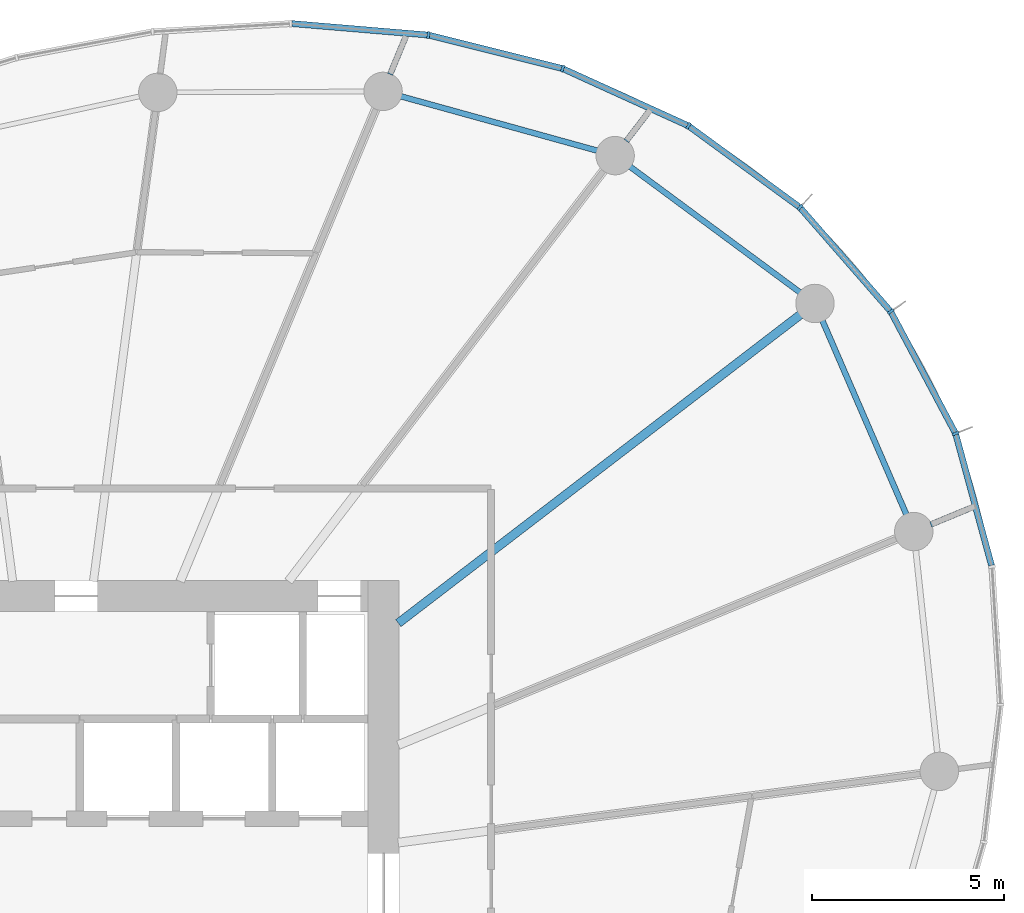
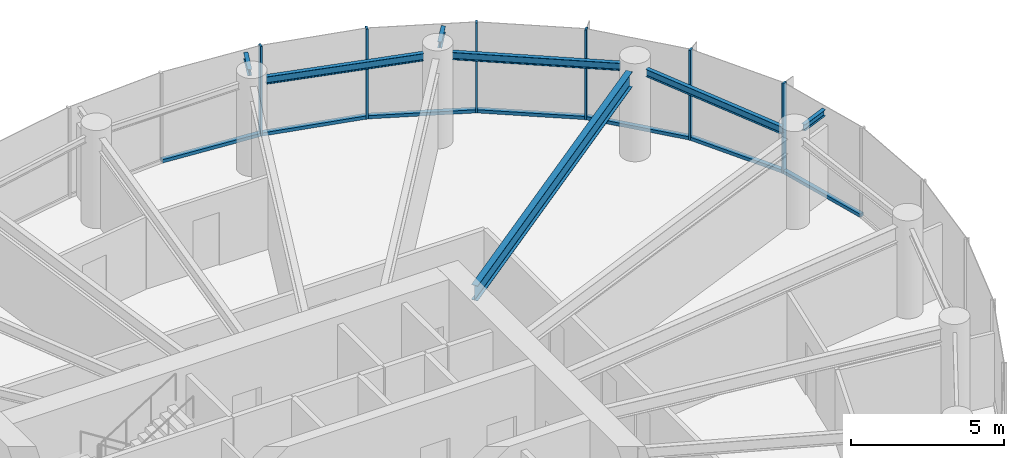
# One storey, part 6 of 14: 13 members, 7 beams, 2 elements without a shape of their own.
"""IFC4 building model written with IfcOpenShell, lengths in metres."""

from ifc_helpers import new_model, si_unit, direction, frame, origin, origin_2d, place, context, subcontext, project, spatial, rectangle, i_section, extrude, source, transform, mapped, material, layer, layer_set, material_profile, profile_set, type_object, element, aggregate, save


model = new_model("IFC4")

# Units and contexts
model_context = context("Model", 3, precision=1e-05, world=origin(), true_north=direction((0.0, 1.0)))
body_context = subcontext(model_context, "Body", "Model", "MODEL_VIEW")
ifc_project = project(units=[si_unit("LENGTHUNIT", "METRE"), si_unit("AREAUNIT", "SQUARE_METRE"), si_unit("VOLUMEUNIT", "CUBIC_METRE"), si_unit("PLANEANGLEUNIT", "RADIAN"), si_unit("MASSUNIT", "GRAM", prefix="KILO")], contexts=[model_context])

# Site, building, storey
site_placement = place(None, origin())
site = spatial("IfcSite", under=ifc_project, at=site_placement, CompositionType="ELEMENT")
building_placement = place(site_placement, origin())
building = spatial("IfcBuilding", under=site, at=building_placement, Name="Spindrift Exchange Tower", CompositionType="ELEMENT")
storey_placement = place(building_placement, frame((0.0, 0.0, 148.699951171875)))
storey = spatial("IfcBuildingStorey", under=building, at=storey_placement, Name="L35", CompositionType="ELEMENT", Elevation=148.699951171875)

# Beams
ifc_material_1 = material(Name="Steel Grade 300", Category="steel")
ifc_material_profile_1 = material_profile(ifc_material_1, i_section(OverallWidth=0.14599609375, OverallDepth=0.251953125, WebThickness=0.006103515625, FlangeThickness=0.008544921875, FilletRadius=0.011962890625, at=origin_2d()), Name="250UB31.4")
ifc_profile_set_1 = profile_set([ifc_material_profile_1], Name="Steel Grade 300")
beam_type_1 = type_object("IfcBeamType", Name="Cantilever Beam 250UB31.4 Steel Grade 300", PredefinedType="BEAM", material=ifc_profile_set_1)
shared_shape_1 = source(origin(), body_context, "Body", "SweptSolid", [
    extrude(i_section(OverallWidth=0.14599609375, OverallDepth=0.251953125, WebThickness=0.006103515625, FlangeThickness=0.008544921875, FilletRadius=0.011962890625, at=origin_2d()), origin(), (0.0, 0.0, 1.0), 0.92138671875),
])
beam_1_placement = place(storey_placement, frame((66.9169921875, 67.440185546875, 3.4541015625), z_axis=(0.60869854627, 0.793401587955, 0.0), x_axis=(-0.793401587955, 0.60869854627, 0.0)))
element("IfcBeam", 1, at=beam_1_placement, inside=storey, type_object=beam_type_1, Name="L35 cantilever beam R04T", PredefinedType="BEAM", context=body_context, shape_type="MappedRepresentation", body=[
    mapped(shared_shape_1, transform((0.0, 0.0, 0.0), scale=1.0)),
])
ifc_material_profile_2 = material_profile(ifc_material_1, i_section(OverallWidth=0.14892578125, OverallDepth=0.298095703125, WebThickness=0.005615234375, FlangeThickness=0.008056640625, FilletRadius=0.012939453125, at=origin_2d()), Name="310UB32.0")
ifc_profile_set_2 = profile_set([ifc_material_profile_2], Name="Steel Grade 300")
beam_type_2 = type_object("IfcBeamType", Name="Edge Beam 310UB32.0 Steel Grade 300", PredefinedType="SPANDREL", material=ifc_profile_set_2)
shared_shape_2 = source(origin(), body_context, "Body", "SweptSolid", [
    extrude(i_section(OverallWidth=0.14892578125, OverallDepth=0.298095703125, WebThickness=0.005615234375, FlangeThickness=0.008056640625, FilletRadius=0.012939453125, at=origin_2d()), origin(), (0.0, 0.0, 1.0), 5.508544921875),
])
beam_2_placement = place(storey_placement, frame((74.205810546875, 57.717529296875, 3.43115234375), z_axis=(-0.397414644433, 0.917639144975, 0.0), x_axis=(-0.917639144975, -0.397414644433, 0.0)))
element("IfcBeam", 2, at=beam_2_placement, inside=storey, type_object=beam_type_2, Name="L35 edge beam E02", PredefinedType="SPANDREL", context=body_context, shape_type="MappedRepresentation", body=[
    mapped(shared_shape_2, transform((0.0, 0.0, 0.0), scale=1.0)),
])
shared_shape_3 = source(origin(), body_context, "Body", "SweptSolid", [
    extrude(i_section(OverallWidth=0.14892578125, OverallDepth=0.298095703125, WebThickness=0.005615234375, FlangeThickness=0.008056640625, FilletRadius=0.012939453125, at=origin_2d()), origin(), (0.0, 0.0, 1.0), 5.509033203125),
])
beam_3_placement = place(storey_placement, frame((71.43994140625, 63.498291015625, 3.43115234375), z_axis=(-0.803991901791, 0.594640245741, 0.0), x_axis=(-0.594640245741, -0.803991901791, 0.0)))
element("IfcBeam", 3, at=beam_3_placement, inside=storey, type_object=beam_type_2, Name="L35 edge beam E03", PredefinedType="SPANDREL", context=body_context, shape_type="MappedRepresentation", body=[
    mapped(shared_shape_3, transform((0.0, 0.0, 0.0), scale=1.0)),
])
shared_shape_4 = source(origin(), body_context, "Body", "SweptSolid", [
    extrude(i_section(OverallWidth=0.14892578125, OverallDepth=0.298095703125, WebThickness=0.005615234375, FlangeThickness=0.008056640625, FilletRadius=0.012939453125, at=origin_2d()), origin(), (0.0, 0.0, 1.0), 5.30517578125),
])
beam_4_placement = place(storey_placement, frame((66.162353515625, 67.1875, 3.43115234375), z_axis=(-0.963757513624, 0.26677978734, 0.0), x_axis=(-0.26677978734, -0.963757513624, 0.0)))
element("IfcBeam", 4, at=beam_4_placement, inside=storey, type_object=beam_type_2, Name="L35 edge beam E04", PredefinedType="SPANDREL", context=body_context, shape_type="MappedRepresentation", body=[
    mapped(shared_shape_4, transform((0.0, 0.0, 0.0), scale=1.0)),
])
ifc_material_profile_3 = material_profile(ifc_material_1, i_section(OverallWidth=0.22802734375, OverallDepth=0.60205078125, WebThickness=0.010498046875, FlangeThickness=0.014892578125, FilletRadius=0.013916015625, at=origin_2d()), Name="610UB101")
ifc_profile_set_3 = profile_set([ifc_material_profile_3], Name="Steel Grade 300")
beam_type_3 = type_object("IfcBeamType", Name="Floor Beam 610UB101 Steel Grade 300", PredefinedType="BEAM", material=ifc_profile_set_3)
shared_shape_5 = source(origin(), body_context, "Body", "SweptSolid", [
    extrude(i_section(OverallWidth=0.22802734375, OverallDepth=0.60205078125, WebThickness=0.010498046875, FlangeThickness=0.014892578125, FilletRadius=0.013916015625, at=origin_2d()), origin(), (0.0, 0.0, 1.0), 13.185546875),
])
beam_5_placement = place(storey_placement, frame((60.984130859375, 54.893798828125, 3.279052734375), z_axis=(0.793357156703, 0.608756455332, 0.0), x_axis=(-0.608756455332, 0.793357156703, 0.0)))
element("IfcBeam", 5, at=beam_5_placement, inside=storey, type_object=beam_type_3, Name="L35 radial beam R03A", PredefinedType="BEAM", context=body_context, shape_type="MappedRepresentation", body=[
    mapped(shared_shape_5, transform((0.0, 0.0, 0.0), scale=1.0)),
])
shared_shape_6 = source(origin(), body_context, "Body", "SweptSolid", [
    extrude(i_section(OverallWidth=0.14599609375, OverallDepth=0.251953125, WebThickness=0.006103515625, FlangeThickness=0.008544921875, FilletRadius=0.011962890625, at=origin_2d()), origin(), (0.0, 0.0, 1.0), 1.1044921875),
])
beam_6_placement = place(storey_placement, frame((74.840087890625, 57.460693359375, 3.4541015625), z_axis=(0.923911779543, 0.382605571864, 0.0), x_axis=(-0.382605571864, 0.923911779543, 0.0)))
element("IfcBeam", 6, at=beam_6_placement, inside=storey, type_object=beam_type_1, Name="L35 cantilever beam R02T", PredefinedType="BEAM", context=body_context, shape_type="MappedRepresentation", body=[
    mapped(shared_shape_6, transform((0.0, 0.0, 0.0), scale=1.0)),
])
shared_shape_7 = source(origin(), body_context, "Body", "SweptSolid", [
    extrude(i_section(OverallWidth=0.14599609375, OverallDepth=0.251953125, WebThickness=0.006103515625, FlangeThickness=0.008544921875, FilletRadius=0.011962890625, at=origin_2d()), origin(), (0.0, 0.0, 1.0), 0.99267578125),
])
beam_7_placement = place(storey_placement, frame((60.770751953125, 69.17431640625, 3.4541015625), z_axis=(0.382728331332, 0.923860933472, 0.0), x_axis=(-0.923860933472, 0.382728331332, 0.0)))
element("IfcBeam", 7, at=beam_7_placement, inside=storey, type_object=beam_type_1, Name="L35 cantilever beam R05T", PredefinedType="BEAM", context=body_context, shape_type="MappedRepresentation", body=[
    mapped(shared_shape_7, transform((0.0, 0.0, 0.0), scale=1.0)),
])

# Curtain wall, member
ifc_material_2 = material(Name="Fritted laminated glass with bronze frame", Category="glass")
ifc_layer = layer(ifc_material_2, 0.179931640625)
ifc_layer_set = layer_set([ifc_layer], Name="ZONE 3 BRONZE FRITTED WALL")
curtain_wall_type = type_object("IfcCurtainWallType", Name="ZONE 3 BRONZE FRITTED WALL", PredefinedType="NOTDEFINED", material=ifc_layer_set)
curtain_wall_1_placement = place(storey_placement, origin())
curtain_wall_1 = element("IfcCurtainWall", 8, at=curtain_wall_1_placement, inside=storey, type_object=curtain_wall_type, Name="L35 Zone 3 Bronze Fritted Wall run 1", PredefinedType="NOTDEFINED")
ifc_material_3 = material(Name="Bronze anodised aluminium", Category="aluminium")
ifc_material_profile_4 = material_profile(ifc_material_3, rectangle(XDim=0.159912109375, YDim=0.1298828125, at=origin_2d()), Name="ZONE 3 BRONZE FRITTED WALL TRANSOM 160X130")
ifc_profile_set_4 = profile_set([ifc_material_profile_4], Name="Bronze anodised aluminium")
member_type_1 = type_object("IfcMemberType", Name="ZONE 3 BRONZE FRITTED WALL TRANSOM 160X130", PredefinedType="USERDEFINED", material=ifc_profile_set_4)
shared_shape_8 = source(origin(), body_context, "Body", "SweptSolid", [
    extrude(rectangle(XDim=0.159912109375, YDim=0.1298828125, at=origin_2d()), origin(), (0.0, 0.0, 1.0), 3.529296875),
])
member_1_placement = place(storey_placement, frame((61.73291015625, 70.19970703125, 0.06494140625), z_axis=(-0.9964849041, 0.083772524739, 0.0), x_axis=(-0.083772524739, -0.9964849041, 0.0)))
member_1 = element("IfcMember", 9, at=member_1_placement, type_object=member_type_1, Name="L35 transom CW-3.5", ObjectType="TRANSOM", PredefinedType="USERDEFINED", context=body_context, shape_type="MappedRepresentation", body=[
    mapped(shared_shape_8, transform((0.0, 0.0, 0.0), scale=1.0)),
])

curtain_wall_2_placement = place(storey_placement, origin())
curtain_wall_2 = element("IfcCurtainWall", 10, at=curtain_wall_2_placement, inside=storey, type_object=curtain_wall_type, Name="L35 Zone 3 Bronze Fritted Wall run 7", PredefinedType="NOTDEFINED")
shared_shape_9 = source(origin(), body_context, "Body", "SweptSolid", [
    extrude(rectangle(XDim=0.159912109375, YDim=0.1298828125, at=origin_2d()), origin(), (0.0, 0.0, 1.0), 3.52490234375),
])
member_2_placement = place(storey_placement, frame((75.4677734375, 59.859130859375, 0.06494140625), z_axis=(-0.469239623467, 0.883070878111, 0.0), x_axis=(-0.883070878111, -0.469239623467, 0.0)))
member_2 = element("IfcMember", 11, at=member_2_placement, type_object=member_type_1, Name="L35 transom CW-3.41", ObjectType="TRANSOM", PredefinedType="USERDEFINED", context=body_context, shape_type="MappedRepresentation", body=[
    mapped(shared_shape_9, transform((0.0, 0.0, 0.0), scale=1.0)),
])

# Member
ifc_material_profile_5 = material_profile(ifc_material_3, rectangle(XDim=0.070068359375, YDim=0.179931640625, at=origin_2d()), Name="ZONE 3 BRONZE FRITTED WALL MULLION 70X180")
ifc_profile_set_5 = profile_set([ifc_material_profile_5], Name="Bronze anodised aluminium")
member_type_2 = type_object("IfcMemberType", Name="ZONE 3 BRONZE FRITTED WALL MULLION 70X180", PredefinedType="MULLION", material=ifc_profile_set_5)
shared_shape_10 = source(origin(), body_context, "Body", "SweptSolid", [
    extrude(rectangle(XDim=0.070068359375, YDim=0.179931640625, at=origin_2d()), origin(), (0.0, 0.0, 1.0), 3.580078125),
])
member_3_placement = place(storey_placement, frame((73.79736328125, 63.002685546875, 0.0), z_axis=(0.0, 0.0, 1.0), x_axis=(-0.566967134159, 0.82374041347, 0.0)))
member_3 = element("IfcMember", 12, at=member_3_placement, type_object=member_type_2, Name="L35 mullion CW-3.1", PredefinedType="MULLION", context=body_context, shape_type="MappedRepresentation", body=[
    mapped(shared_shape_10, transform((0.0, 0.0, 0.0), scale=1.0)),
])

member_4_placement = place(storey_placement, frame((71.4345703125, 65.7119140625, 0.0), z_axis=(0.0, 0.0, 1.0), x_axis=(-0.736748579212, 0.676166792315, 0.0)))
member_4 = element("IfcMember", 13, at=member_4_placement, type_object=member_type_2, Name="L35 mullion CW-3.2", PredefinedType="MULLION", context=body_context, shape_type="MappedRepresentation", body=[
    mapped(shared_shape_10, transform((0.0, 0.0, 0.0), scale=1.0)),
])

member_5_placement = place(storey_placement, frame((68.532470703125, 67.834716796875, 0.0), z_axis=(0.0, 0.0, 1.0), x_axis=(-0.863144453538, 0.504957079687, 0.0)))
member_5 = element("IfcMember", 14, at=member_5_placement, type_object=member_type_2, Name="L35 mullion CW-3.3", PredefinedType="MULLION", context=body_context, shape_type="MappedRepresentation", body=[
    mapped(shared_shape_10, transform((0.0, 0.0, 0.0), scale=1.0)),
])

member_6_placement = place(storey_placement, frame((65.2587890625, 69.32470703125, 0.0), z_axis=(0.0, 0.0, 1.0), x_axis=(-0.944092221385, 0.329681478885, 0.0)))
member_6 = element("IfcMember", 15, at=member_6_placement, type_object=member_type_2, Name="L35 mullion CW-3.4", PredefinedType="MULLION", context=body_context, shape_type="MappedRepresentation", body=[
    mapped(shared_shape_10, transform((0.0, 0.0, 0.0), scale=1.0)),
])

member_7_placement = place(storey_placement, frame((61.767822265625, 70.19677734375, 0.0), z_axis=(0.0, 0.0, 1.0), x_axis=(-0.986528958791, 0.163586715433, 0.0)))
member_7 = element("IfcMember", 16, at=member_7_placement, type_object=member_type_2, Name="L35 mullion CW-3.5", PredefinedType="MULLION", context=body_context, shape_type="MappedRepresentation", body=[
    mapped(shared_shape_10, transform((0.0, 0.0, 0.0), scale=1.0)),
])

member_8_placement = place(storey_placement, frame((75.484130859375, 59.828369140625, 0.0), z_axis=(0.0, 0.0, 1.0), x_axis=(-0.36848783141, 0.929632571559, 0.0)))
member_8 = element("IfcMember", 17, at=member_8_placement, type_object=member_type_2, Name="L35 mullion CW-3.41", PredefinedType="MULLION", context=body_context, shape_type="MappedRepresentation", body=[
    mapped(shared_shape_10, transform((0.0, 0.0, 0.0), scale=1.0)),
])

shared_shape_11 = source(origin(), body_context, "Body", "SweptSolid", [
    extrude(rectangle(XDim=0.159912109375, YDim=0.1298828125, at=origin_2d()), origin(), (0.0, 0.0, 1.0), 3.524658203125),
])
member_9_placement = place(storey_placement, frame((73.7744140625, 63.029296875, 0.06494140625), z_axis=(-0.657361219639, 0.753575627867, 0.0), x_axis=(-0.753575627867, -0.657361219639, 0.0)))
member_9 = element("IfcMember", 18, at=member_9_placement, type_object=member_type_1, Name="L35 transom CW-3.1", ObjectType="TRANSOM", PredefinedType="USERDEFINED", context=body_context, shape_type="MappedRepresentation", body=[
    mapped(shared_shape_11, transform((0.0, 0.0, 0.0), scale=1.0)),
])

shared_shape_12 = source(origin(), body_context, "Body", "SweptSolid", [
    extrude(rectangle(XDim=0.159912109375, YDim=0.1298828125, at=origin_2d()), origin(), (0.0, 0.0, 1.0), 3.5283203125),
])
member_10_placement = place(storey_placement, frame((65.224853515625, 69.333251953125, 0.06494140625), z_axis=(-0.970195391551, 0.242323961287, 0.0), x_axis=(-0.242323961287, -0.970195391551, 0.0)))
member_10 = element("IfcMember", 19, at=member_10_placement, type_object=member_type_1, Name="L35 transom CW-3.4", ObjectType="TRANSOM", PredefinedType="USERDEFINED", context=body_context, shape_type="MappedRepresentation", body=[
    mapped(shared_shape_12, transform((0.0, 0.0, 0.0), scale=1.0)),
])

shared_shape_13 = source(origin(), body_context, "Body", "SweptSolid", [
    extrude(rectangle(XDim=0.159912109375, YDim=0.1298828125, at=origin_2d()), origin(), (0.0, 0.0, 1.0), 3.52685546875),
])
member_11_placement = place(storey_placement, frame((68.50048828125, 67.84912109375, 0.06494140625), z_axis=(-0.910141131531, 0.414298347445, 0.0), x_axis=(-0.414298347445, -0.910141131531, 0.0)))
member_11 = element("IfcMember", 20, at=member_11_placement, type_object=member_type_1, Name="L35 transom CW-3.3", ObjectType="TRANSOM", PredefinedType="USERDEFINED", context=body_context, shape_type="MappedRepresentation", body=[
    mapped(shared_shape_13, transform((0.0, 0.0, 0.0), scale=1.0)),
])

shared_shape_14 = source(origin(), body_context, "Body", "SweptSolid", [
    extrude(rectangle(XDim=0.159912109375, YDim=0.1298828125, at=origin_2d()), origin(), (0.0, 0.0, 1.0), 3.525634765625),
])
member_12_placement = place(storey_placement, frame((71.40625, 65.732421875, 0.06494140625), z_axis=(-0.807122070503, 0.59038458932, 0.0), x_axis=(-0.59038458932, -0.807122070503, 0.0)))
member_12 = element("IfcMember", 21, at=member_12_placement, type_object=member_type_1, Name="L35 transom CW-3.2", ObjectType="TRANSOM", PredefinedType="USERDEFINED", context=body_context, shape_type="MappedRepresentation", body=[
    mapped(shared_shape_14, transform((0.0, 0.0, 0.0), scale=1.0)),
])

aggregate(curtain_wall_1, [member_3, member_9, member_4, member_12, member_5, member_11, member_6, member_10, member_7, member_1])

member_13_placement = place(storey_placement, frame((76.42138671875, 56.39306640625, 0.06494140625), z_axis=(-0.263205294271, 0.964739847351, 0.0), x_axis=(-0.964739847351, -0.263205294271, 0.0)))
member_13 = element("IfcMember", 22, at=member_13_placement, type_object=member_type_1, Name="L35 transom CW-3.40", ObjectType="TRANSOM", PredefinedType="USERDEFINED", context=body_context, shape_type="MappedRepresentation", body=[
    mapped(shared_shape_14, transform((0.0, 0.0, 0.0), scale=1.0)),
])

aggregate(curtain_wall_2, [member_13, member_8, member_2])

save(model, "model.ifc")
